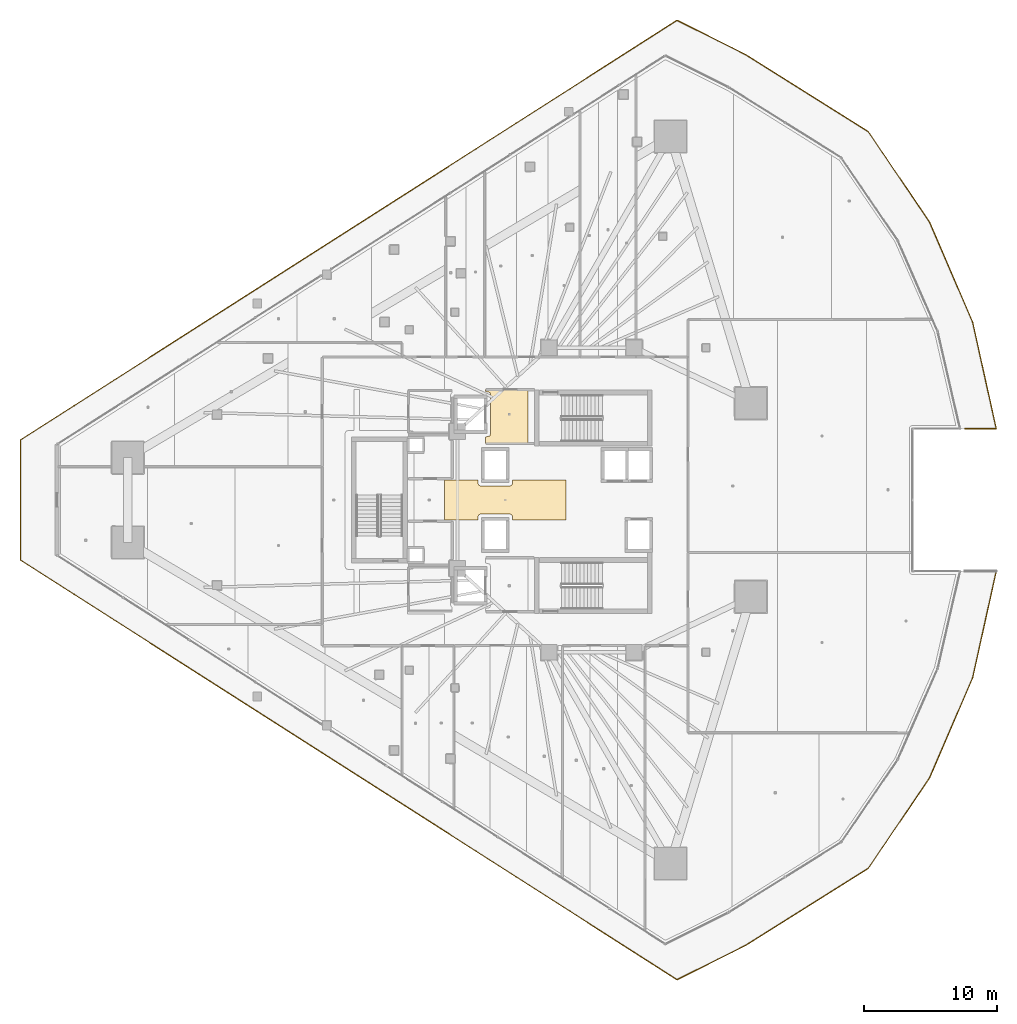
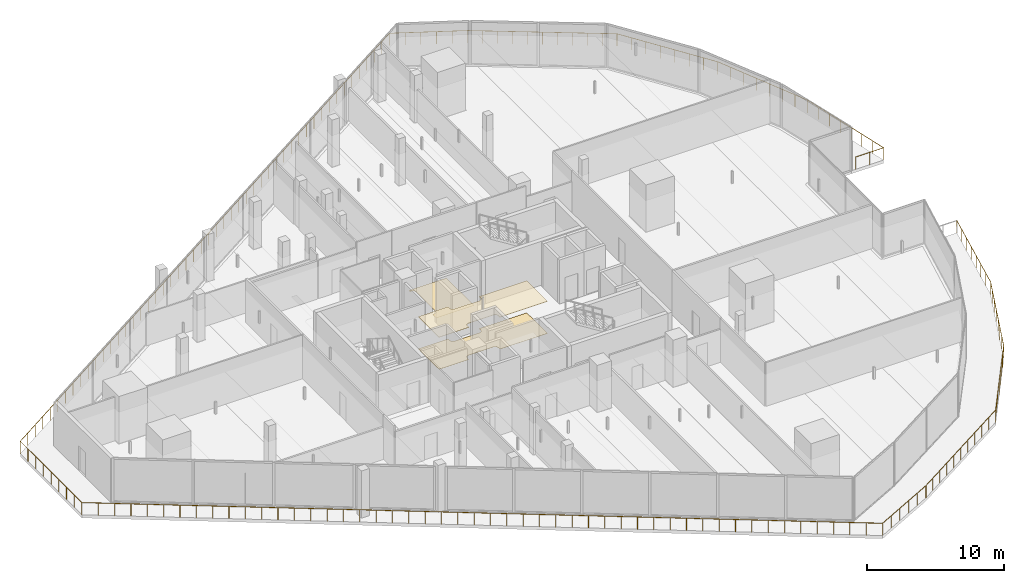
# One storey, part 42 of 44: 3 coverings, 1 railing.
"""IFC4 building model written with IfcOpenShell, lengths in metres."""

from ifc_helpers import new_model, si_unit, direction, frame, origin, origin_2d, place, context, subcontext, project, spatial, polyline, circle, outline, extrude, material, layer, layer_set, type_object, element, save


model = new_model("IFC4")

# Units and contexts
model_context = context("Model", 3, precision=1e-05, world=origin(), true_north=direction((0.0, 1.0)))
body_context = subcontext(model_context, "Body", "Model", "MODEL_VIEW")
ifc_project = project(units=[si_unit("LENGTHUNIT", "METRE"), si_unit("AREAUNIT", "SQUARE_METRE"), si_unit("VOLUMEUNIT", "CUBIC_METRE"), si_unit("PLANEANGLEUNIT", "RADIAN"), si_unit("MASSUNIT", "GRAM", prefix="KILO")], contexts=[model_context])

# Site, building, storey
site_placement = place(None, origin())
site = spatial("IfcSite", under=ifc_project, at=site_placement, CompositionType="ELEMENT")
building_placement = place(site_placement, origin())
building = spatial("IfcBuilding", under=site, at=building_placement, Name="Qorvath Tower", CompositionType="ELEMENT")
storey_placement = place(building_placement, frame((0.0, 0.0, 53.39990234375)))
storey = spatial("IfcBuildingStorey", under=building, at=storey_placement, Name="L11", CompositionType="ELEMENT", Elevation=53.39990234375)

# Coverings
ifc_material_1 = material(Name="Acoustic mineral fibre ceiling tile", Category="gypsum")
ifc_layer_1 = layer(ifc_material_1, 0.030029296875)
ifc_layer_set_1 = layer_set([ifc_layer_1], Name="COV-CEIL")
covering_type_1 = type_object("IfcCoveringType", Name="COV-CEIL", PredefinedType="CEILING", material=ifc_layer_set_1)
covering_1_placement = place(storey_placement, frame((0.0, 0.0, 2.85009765625)))
element("IfcCovering", 1, at=covering_1_placement, inside=storey, type_object=covering_type_1, Name="L11 Suspended Acoustic Ceiling 009", PredefinedType="CEILING", context=body_context, shape_type="SweptSolid", body=[
    extrude(outline(polyline([(-22.318359375, -1.514892578125), (-22.318359375, 1.514892578125), (-26.340087890625, 1.514892578125), (-26.340087890625, 1.2900390625), (-26.413330078125, 1.11328125), (-26.590087890625, 1.0400390625), (-28.7099609375, 1.0400390625), (-28.88671875, 1.11328125), (-28.9599609375, 1.2900390625), (-28.9599609375, 1.514892578125), (-31.481689453125, 1.514892578125), (-31.481689453125, -1.514892578125), (-28.9599609375, -1.514892578125), (-28.9599609375, -1.2900390625), (-28.88671875, -1.11328125), (-28.7099609375, -1.0400390625), (-26.590087890625, -1.0400390625), (-26.413330078125, -1.11328125), (-26.340087890625, -1.2900390625), (-26.340087890625, -1.514892578125), (-22.318359375, -1.514892578125)])), origin(), (0.0, 0.0, 1.0), 0.030029296875),
])
ifc_material_2 = material(Name="Polished epoxy terrazzo flooring", Category="concrete")
ifc_layer_2 = layer(ifc_material_2, 0.02001953125)
ifc_layer_set_2 = layer_set([ifc_layer_2], Name="COV-FLOOR-TRZ")
covering_type_2 = type_object("IfcCoveringType", Name="COV-FLOOR-TRZ", PredefinedType="FLOORING", material=ifc_layer_set_2)
covering_2_placement = place(storey_placement, origin())
element("IfcCovering", 2, at=covering_2_placement, inside=storey, type_object=covering_type_2, Name="L11 Floor Finish 001", PredefinedType="FLOORING", context=body_context, shape_type="SweptSolid", body=[
    extrude(outline(polyline([(-25.18994140625, 4.2548828125), (-25.18994140625, 8.294921875), (-28.375, 8.294921875), (-28.375, 8.159912109375), (-28.063232421875, 8.086669921875), (-27.989990234375, 7.909912109375), (-27.989990234375, 4.989990234375), (-28.063232421875, 4.813232421875), (-28.375, 4.739990234375), (-28.375, 4.2548828125), (-25.18994140625, 4.2548828125)])), origin(), (0.0, 0.0, 1.0), 0.01513671875),
])
covering_3_placement = place(storey_placement, origin())
element("IfcCovering", 3, at=covering_3_placement, inside=storey, type_object=covering_type_2, Name="L11 Floor Finish 009", PredefinedType="FLOORING", context=body_context, shape_type="SweptSolid", body=[
    extrude(outline(polyline([(-22.318359375, -1.514892578125), (-22.318359375, 1.514892578125), (-26.340087890625, 1.514892578125), (-26.340087890625, 1.2900390625), (-26.413330078125, 1.11328125), (-26.590087890625, 1.0400390625), (-28.7099609375, 1.0400390625), (-28.88671875, 1.11328125), (-28.9599609375, 1.2900390625), (-28.9599609375, 1.514892578125), (-31.481689453125, 1.514892578125), (-31.481689453125, -1.514892578125), (-28.9599609375, -1.514892578125), (-28.9599609375, -1.2900390625), (-28.88671875, -1.11328125), (-28.7099609375, -1.0400390625), (-26.590087890625, -1.0400390625), (-26.413330078125, -1.11328125), (-26.340087890625, -1.2900390625), (-26.340087890625, -1.514892578125), (-22.318359375, -1.514892578125)])), origin(), (0.0, 0.0, 1.0), 0.01513671875),
])

# Railing
ifc_material_3 = material(Name="Laminated safety glass and stainless steel AISI 316", Category="steel")
railing_type = type_object("IfcRailingType", Name="RL-EXT-GRD", PredefinedType="GUARDRAIL", material=ifc_material_3)
railing_placement = place(storey_placement, frame((10.030029296875, -5.356689453125, 0.0)))
element("IfcRailing", 4, at=railing_placement, inside=storey, type_object=railing_type, Name="Loggia Perimeter Guardrail L11-1.1", PredefinedType="GUARDRAIL", context=body_context, shape_type="SweptSolid", body=[
    extrude(circle(Radius=0.02392578125, at=origin_2d()), frame((0.0, 0.0, 1.09619140625), z_axis=(-0.216073224213, -0.976377161643, 0.0), x_axis=(0.976377161643, -0.216073224213, 0.0)), (0.0, 0.0, 1.0), 8.203125),
    extrude(circle(Radius=0.02392578125, at=origin_2d()), frame((-1.7724609375, -8.00927734375, 1.09619140625), z_axis=(-0.395484853012, -0.918472498792, 0.0), x_axis=(0.918472498792, -0.395484853012, 0.0)), (0.0, 0.0, 1.0), 8.202880859375),
    extrude(circle(Radius=0.02392578125, at=origin_2d()), frame((-5.0166015625, -15.54345703125, 1.09619140625), z_axis=(-0.560818530713, -0.827938751121, 0.0), x_axis=(0.827938751121, -0.560818530713, 0.0)), (0.0, 0.0, 1.0), 8.202880859375),
    extrude(circle(Radius=0.02392578125, at=origin_2d()), frame((-9.616943359375, -22.3349609375, 1.09619140625), z_axis=(-0.846493615639, -0.532398871789, 0.0), x_axis=(0.532398871789, -0.846493615639, 0.0)), (0.0, 0.0, 1.0), 10.908447265625),
    extrude(circle(Radius=0.02392578125, at=origin_2d()), frame((-18.850830078125, -28.142578125, 1.09619140625), z_axis=(-0.894427191, -0.4472135955, 0.0), x_axis=(0.4472135955, -0.894427191, 0.0)), (0.0, 0.0, 1.0), 5.76220703125),
    extrude(circle(Radius=0.02392578125, at=origin_2d()), frame((-24.004638671875, -30.719482421875, 1.09619140625), z_axis=(-0.842603389568, 0.538534611598, 0.0), x_axis=(-0.538534611598, -0.842603389568, 0.0)), (0.0, 0.0, 1.0), 58.61572265625),
    extrude(circle(Radius=0.02392578125, at=origin_2d()), frame((-73.39453125, 0.84716796875, 1.09619140625), z_axis=(0.0, 1.0, 0.0), x_axis=(-1.0, 0.0, 0.0)), (0.0, 0.0, 1.0), 9.01904296875),
    extrude(circle(Radius=0.02392578125, at=origin_2d()), frame((-73.39453125, 9.8662109375, 1.09619140625), z_axis=(0.842603389568, 0.538534611598, 0.0), x_axis=(-0.538534611598, 0.842603389568, 0.0)), (0.0, 0.0, 1.0), 58.61572265625),
    extrude(circle(Radius=0.02392578125, at=origin_2d()), frame((-24.004638671875, 41.432861328125, 1.09619140625), z_axis=(0.894427191, -0.4472135955, 0.0), x_axis=(0.4472135955, 0.894427191, 0.0)), (0.0, 0.0, 1.0), 5.76220703125),
    extrude(circle(Radius=0.02392578125, at=origin_2d()), frame((-18.850830078125, 38.85595703125, 1.09619140625), z_axis=(0.846493615639, -0.532398871789, 0.0), x_axis=(0.532398871789, 0.846493615639, 0.0)), (0.0, 0.0, 1.0), 10.908447265625),
    extrude(circle(Radius=0.02392578125, at=origin_2d()), frame((-9.616943359375, 33.04833984375, 1.09619140625), z_axis=(0.560818530713, -0.827938751121, 0.0), x_axis=(0.827938751121, 0.560818530713, 0.0)), (0.0, 0.0, 1.0), 8.202880859375),
    extrude(circle(Radius=0.02392578125, at=origin_2d()), frame((-5.0166015625, 26.2568359375, 1.09619140625), z_axis=(0.395484853012, -0.918472498792, 0.0), x_axis=(0.918472498792, 0.395484853012, 0.0)), (0.0, 0.0, 1.0), 8.202880859375),
    extrude(circle(Radius=0.02392578125, at=origin_2d()), frame((-1.7724609375, 18.72265625, 1.09619140625), z_axis=(0.216073224213, -0.976377161643, 0.0), x_axis=(0.976377161643, 0.216073224213, 0.0)), (0.0, 0.0, 1.0), 8.203125),
    extrude(circle(Radius=0.02392578125, at=origin_2d()), frame((0.0, 10.71337890625, 1.09619140625), z_axis=(-1.0, 0.0, 0.0), x_axis=(0.0, -1.0, 0.0)), (0.0, 0.0, 1.0), 2.3662109375),
    extrude(circle(Radius=0.02099609375, at=origin_2d()), origin(), (0.0, 0.0, 1.0), 1.072021484375),
    extrude(circle(Radius=0.02099609375, at=origin_2d()), frame((-0.253173828125, -1.144287109375, 0.0)), (0.0, 0.0, 1.0), 1.072021484375),
    extrude(circle(Radius=0.02099609375, at=origin_2d()), frame((-0.50634765625, -2.288330078125, 0.0)), (0.0, 0.0, 1.0), 1.072021484375),
    extrude(circle(Radius=0.02099609375, at=origin_2d()), frame((-0.759521484375, -3.4326171875, 0.0)), (0.0, 0.0, 1.0), 1.072021484375),
    extrude(circle(Radius=0.02099609375, at=origin_2d()), frame((-1.012939453125, -4.57666015625, 0.0)), (0.0, 0.0, 1.0), 1.072021484375),
    extrude(circle(Radius=0.02099609375, at=origin_2d()), frame((-1.26611328125, -5.720947265625, 0.0)), (0.0, 0.0, 1.0), 1.072021484375),
    extrude(circle(Radius=0.02099609375, at=origin_2d()), frame((-1.519287109375, -6.864990234375, 0.0)), (0.0, 0.0, 1.0), 1.072021484375),
    extrude(circle(Radius=0.02099609375, at=origin_2d()), frame((-1.7724609375, -8.00927734375, 0.0)), (0.0, 0.0, 1.0), 1.072021484375),
    extrude(circle(Radius=0.02099609375, at=origin_2d()), frame((-2.23583984375, -9.085693359375, 0.0)), (0.0, 0.0, 1.0), 1.072021484375),
    extrude(circle(Radius=0.02099609375, at=origin_2d()), frame((-2.699462890625, -10.161865234375, 0.0)), (0.0, 0.0, 1.0), 1.072021484375),
    extrude(circle(Radius=0.02099609375, at=origin_2d()), frame((-3.162841796875, -11.23828125, 0.0)), (0.0, 0.0, 1.0), 1.072021484375),
    extrude(circle(Radius=0.02099609375, at=origin_2d()), frame((-3.626220703125, -12.314453125, 0.0)), (0.0, 0.0, 1.0), 1.072021484375),
    extrude(circle(Radius=0.02099609375, at=origin_2d()), frame((-4.089599609375, -13.390869140625, 0.0)), (0.0, 0.0, 1.0), 1.072021484375),
    extrude(circle(Radius=0.02099609375, at=origin_2d()), frame((-4.55322265625, -14.467041015625, 0.0)), (0.0, 0.0, 1.0), 1.072021484375),
    extrude(circle(Radius=0.02099609375, at=origin_2d()), frame((-5.0166015625, -15.54345703125, 0.0)), (0.0, 0.0, 1.0), 1.072021484375),
    extrude(circle(Radius=0.02099609375, at=origin_2d()), frame((-5.673828125, -16.513671875, 0.0)), (0.0, 0.0, 1.0), 1.072021484375),
    extrude(circle(Radius=0.02099609375, at=origin_2d()), frame((-6.3310546875, -17.48388671875, 0.0)), (0.0, 0.0, 1.0), 1.072021484375),
    extrude(circle(Radius=0.02099609375, at=origin_2d()), frame((-6.98828125, -18.4541015625, 0.0)), (0.0, 0.0, 1.0), 1.072021484375),
    extrude(circle(Radius=0.02099609375, at=origin_2d()), frame((-7.645263671875, -19.42431640625, 0.0)), (0.0, 0.0, 1.0), 1.072021484375),
    extrude(circle(Radius=0.02099609375, at=origin_2d()), frame((-8.302490234375, -20.39453125, 0.0)), (0.0, 0.0, 1.0), 1.072021484375),
    extrude(circle(Radius=0.02099609375, at=origin_2d()), frame((-8.959716796875, -21.36474609375, 0.0)), (0.0, 0.0, 1.0), 1.072021484375),
    extrude(circle(Radius=0.02099609375, at=origin_2d()), frame((-9.616943359375, -22.3349609375, 0.0)), (0.0, 0.0, 1.0), 1.072021484375),
    extrude(circle(Radius=0.02099609375, at=origin_2d()), frame((-10.540283203125, -22.915771484375, 0.0)), (0.0, 0.0, 1.0), 1.072021484375),
    extrude(circle(Radius=0.02099609375, at=origin_2d()), frame((-11.463623046875, -23.49658203125, 0.0)), (0.0, 0.0, 1.0), 1.072021484375),
    extrude(circle(Radius=0.02099609375, at=origin_2d()), frame((-12.38720703125, -24.0771484375, 0.0)), (0.0, 0.0, 1.0), 1.072021484375),
    extrude(circle(Radius=0.02099609375, at=origin_2d()), frame((-13.310546875, -24.657958984375, 0.0)), (0.0, 0.0, 1.0), 1.072021484375),
    extrude(circle(Radius=0.02099609375, at=origin_2d()), frame((-14.23388671875, -25.23876953125, 0.0)), (0.0, 0.0, 1.0), 1.072021484375),
    extrude(circle(Radius=0.02099609375, at=origin_2d()), frame((-15.1572265625, -25.819580078125, 0.0)), (0.0, 0.0, 1.0), 1.072021484375),
    extrude(circle(Radius=0.02099609375, at=origin_2d()), frame((-16.08056640625, -26.400390625, 0.0)), (0.0, 0.0, 1.0), 1.072021484375),
    extrude(circle(Radius=0.02099609375, at=origin_2d()), frame((-17.004150390625, -26.98095703125, 0.0)), (0.0, 0.0, 1.0), 1.072021484375),
    extrude(circle(Radius=0.02099609375, at=origin_2d()), frame((-17.927490234375, -27.561767578125, 0.0)), (0.0, 0.0, 1.0), 1.072021484375),
    extrude(circle(Radius=0.02099609375, at=origin_2d()), frame((-18.850830078125, -28.142578125, 0.0)), (0.0, 0.0, 1.0), 1.072021484375),
    extrude(circle(Radius=0.02099609375, at=origin_2d()), frame((-19.881591796875, -28.657958984375, 0.0)), (0.0, 0.0, 1.0), 1.072021484375),
    extrude(circle(Radius=0.02099609375, at=origin_2d()), frame((-20.912353515625, -29.17333984375, 0.0)), (0.0, 0.0, 1.0), 1.072021484375),
    extrude(circle(Radius=0.02099609375, at=origin_2d()), frame((-21.943115234375, -29.688720703125, 0.0)), (0.0, 0.0, 1.0), 1.072021484375),
    extrude(circle(Radius=0.02099609375, at=origin_2d()), frame((-22.973876953125, -30.2041015625, 0.0)), (0.0, 0.0, 1.0), 1.072021484375),
    extrude(circle(Radius=0.02099609375, at=origin_2d()), frame((-24.004638671875, -30.719482421875, 0.0)), (0.0, 0.0, 1.0), 1.072021484375),
    extrude(circle(Radius=0.02099609375, at=origin_2d()), frame((-25.0126953125, -30.0751953125, 0.0)), (0.0, 0.0, 1.0), 1.072021484375),
    extrude(circle(Radius=0.02099609375, at=origin_2d()), frame((-26.0205078125, -29.43115234375, 0.0)), (0.0, 0.0, 1.0), 1.072021484375),
    extrude(circle(Radius=0.02099609375, at=origin_2d()), frame((-27.028564453125, -28.786865234375, 0.0)), (0.0, 0.0, 1.0), 1.072021484375),
    extrude(circle(Radius=0.02099609375, at=origin_2d()), frame((-28.036376953125, -28.142578125, 0.0)), (0.0, 0.0, 1.0), 1.072021484375),
    extrude(circle(Radius=0.02099609375, at=origin_2d()), frame((-29.04443359375, -27.498291015625, 0.0)), (0.0, 0.0, 1.0), 1.072021484375),
    extrude(circle(Radius=0.02099609375, at=origin_2d()), frame((-30.052490234375, -26.854248046875, 0.0)), (0.0, 0.0, 1.0), 1.072021484375),
    extrude(circle(Radius=0.02099609375, at=origin_2d()), frame((-31.060302734375, -26.2099609375, 0.0)), (0.0, 0.0, 1.0), 1.072021484375),
    extrude(circle(Radius=0.02099609375, at=origin_2d()), frame((-32.068359375, -25.565673828125, 0.0)), (0.0, 0.0, 1.0), 1.072021484375),
    extrude(circle(Radius=0.02099609375, at=origin_2d()), frame((-33.076171875, -24.921630859375, 0.0)), (0.0, 0.0, 1.0), 1.072021484375),
    extrude(circle(Radius=0.02099609375, at=origin_2d()), frame((-34.084228515625, -24.27734375, 0.0)), (0.0, 0.0, 1.0), 1.072021484375),
    extrude(circle(Radius=0.02099609375, at=origin_2d()), frame((-35.09228515625, -23.633056640625, 0.0)), (0.0, 0.0, 1.0), 1.072021484375),
    extrude(circle(Radius=0.02099609375, at=origin_2d()), frame((-36.10009765625, -22.98876953125, 0.0)), (0.0, 0.0, 1.0), 1.072021484375),
    extrude(circle(Radius=0.02099609375, at=origin_2d()), frame((-37.108154296875, -22.3447265625, 0.0)), (0.0, 0.0, 1.0), 1.072021484375),
    extrude(circle(Radius=0.02099609375, at=origin_2d()), frame((-38.115966796875, -21.700439453125, 0.0)), (0.0, 0.0, 1.0), 1.072021484375),
    extrude(circle(Radius=0.02099609375, at=origin_2d()), frame((-39.1240234375, -21.05615234375, 0.0)), (0.0, 0.0, 1.0), 1.072021484375),
    extrude(circle(Radius=0.02099609375, at=origin_2d()), frame((-40.1318359375, -20.412109375, 0.0)), (0.0, 0.0, 1.0), 1.072021484375),
    extrude(circle(Radius=0.02099609375, at=origin_2d()), frame((-41.139892578125, -19.767822265625, 0.0)), (0.0, 0.0, 1.0), 1.072021484375),
    extrude(circle(Radius=0.02099609375, at=origin_2d()), frame((-42.14794921875, -19.12353515625, 0.0)), (0.0, 0.0, 1.0), 1.072021484375),
    extrude(circle(Radius=0.02099609375, at=origin_2d()), frame((-43.15576171875, -18.479248046875, 0.0)), (0.0, 0.0, 1.0), 1.072021484375),
    extrude(circle(Radius=0.02099609375, at=origin_2d()), frame((-44.163818359375, -17.835205078125, 0.0)), (0.0, 0.0, 1.0), 1.072021484375),
    extrude(circle(Radius=0.02099609375, at=origin_2d()), frame((-45.171630859375, -17.19091796875, 0.0)), (0.0, 0.0, 1.0), 1.072021484375),
    extrude(circle(Radius=0.02099609375, at=origin_2d()), frame((-46.1796875, -16.546630859375, 0.0)), (0.0, 0.0, 1.0), 1.072021484375),
    extrude(circle(Radius=0.02099609375, at=origin_2d()), frame((-47.187744140625, -15.902587890625, 0.0)), (0.0, 0.0, 1.0), 1.072021484375),
    extrude(circle(Radius=0.02099609375, at=origin_2d()), frame((-48.195556640625, -15.25830078125, 0.0)), (0.0, 0.0, 1.0), 1.072021484375),
    extrude(circle(Radius=0.02099609375, at=origin_2d()), frame((-49.20361328125, -14.614013671875, 0.0)), (0.0, 0.0, 1.0), 1.072021484375),
    extrude(circle(Radius=0.02099609375, at=origin_2d()), frame((-50.21142578125, -13.9697265625, 0.0)), (0.0, 0.0, 1.0), 1.072021484375),
    extrude(circle(Radius=0.02099609375, at=origin_2d()), frame((-51.219482421875, -13.32568359375, 0.0)), (0.0, 0.0, 1.0), 1.072021484375),
    extrude(circle(Radius=0.02099609375, at=origin_2d()), frame((-52.2275390625, -12.681396484375, 0.0)), (0.0, 0.0, 1.0), 1.072021484375),
    extrude(circle(Radius=0.02099609375, at=origin_2d()), frame((-53.2353515625, -12.037109375, 0.0)), (0.0, 0.0, 1.0), 1.072021484375),
    extrude(circle(Radius=0.02099609375, at=origin_2d()), frame((-54.243408203125, -11.39306640625, 0.0)), (0.0, 0.0, 1.0), 1.072021484375),
    extrude(circle(Radius=0.02099609375, at=origin_2d()), frame((-55.251220703125, -10.748779296875, 0.0)), (0.0, 0.0, 1.0), 1.072021484375),
    extrude(circle(Radius=0.02099609375, at=origin_2d()), frame((-56.25927734375, -10.1044921875, 0.0)), (0.0, 0.0, 1.0), 1.072021484375),
    extrude(circle(Radius=0.02099609375, at=origin_2d()), frame((-57.267333984375, -9.460205078125, 0.0)), (0.0, 0.0, 1.0), 1.072021484375),
    extrude(circle(Radius=0.02099609375, at=origin_2d()), frame((-58.275146484375, -8.816162109375, 0.0)), (0.0, 0.0, 1.0), 1.072021484375),
    extrude(circle(Radius=0.02099609375, at=origin_2d()), frame((-59.283203125, -8.171875, 0.0)), (0.0, 0.0, 1.0), 1.072021484375),
    extrude(circle(Radius=0.02099609375, at=origin_2d()), frame((-60.291015625, -7.527587890625, 0.0)), (0.0, 0.0, 1.0), 1.072021484375),
    extrude(circle(Radius=0.02099609375, at=origin_2d()), frame((-61.299072265625, -6.883544921875, 0.0)), (0.0, 0.0, 1.0), 1.072021484375),
    extrude(circle(Radius=0.02099609375, at=origin_2d()), frame((-62.306884765625, -6.2392578125, 0.0)), (0.0, 0.0, 1.0), 1.072021484375),
    extrude(circle(Radius=0.02099609375, at=origin_2d()), frame((-63.31494140625, -5.594970703125, 0.0)), (0.0, 0.0, 1.0), 1.072021484375),
    extrude(circle(Radius=0.02099609375, at=origin_2d()), frame((-64.322998046875, -4.95068359375, 0.0)), (0.0, 0.0, 1.0), 1.072021484375),
    extrude(circle(Radius=0.02099609375, at=origin_2d()), frame((-65.330810546875, -4.306640625, 0.0)), (0.0, 0.0, 1.0), 1.072021484375),
    extrude(circle(Radius=0.02099609375, at=origin_2d()), frame((-66.3388671875, -3.662353515625, 0.0)), (0.0, 0.0, 1.0), 1.072021484375),
    extrude(circle(Radius=0.02099609375, at=origin_2d()), frame((-67.3466796875, -3.01806640625, 0.0)), (0.0, 0.0, 1.0), 1.072021484375),
    extrude(circle(Radius=0.02099609375, at=origin_2d()), frame((-68.354736328125, -2.3740234375, 0.0)), (0.0, 0.0, 1.0), 1.072021484375),
    extrude(circle(Radius=0.02099609375, at=origin_2d()), frame((-69.36279296875, -1.729736328125, 0.0)), (0.0, 0.0, 1.0), 1.072021484375),
    extrude(circle(Radius=0.02099609375, at=origin_2d()), frame((-70.37060546875, -1.08544921875, 0.0)), (0.0, 0.0, 1.0), 1.072021484375),
    extrude(circle(Radius=0.02099609375, at=origin_2d()), frame((-71.378662109375, -0.441162109375, 0.0)), (0.0, 0.0, 1.0), 1.072021484375),
    extrude(circle(Radius=0.02099609375, at=origin_2d()), frame((-72.386474609375, 0.202880859375, 0.0)), (0.0, 0.0, 1.0), 1.072021484375),
    extrude(circle(Radius=0.02099609375, at=origin_2d()), frame((-73.39453125, 0.84716796875, 0.0)), (0.0, 0.0, 1.0), 1.072021484375),
    extrude(circle(Radius=0.02099609375, at=origin_2d()), frame((-73.39453125, 1.974609375, 0.0)), (0.0, 0.0, 1.0), 1.072021484375),
    extrude(circle(Radius=0.02099609375, at=origin_2d()), frame((-73.39453125, 3.10205078125, 0.0)), (0.0, 0.0, 1.0), 1.072021484375),
    extrude(circle(Radius=0.02099609375, at=origin_2d()), frame((-73.39453125, 4.229248046875, 0.0)), (0.0, 0.0, 1.0), 1.072021484375),
    extrude(circle(Radius=0.02099609375, at=origin_2d()), frame((-73.39453125, 5.356689453125, 0.0)), (0.0, 0.0, 1.0), 1.072021484375),
    extrude(circle(Radius=0.02099609375, at=origin_2d()), frame((-73.39453125, 6.484130859375, 0.0)), (0.0, 0.0, 1.0), 1.072021484375),
    extrude(circle(Radius=0.02099609375, at=origin_2d()), frame((-73.39453125, 7.611328125, 0.0)), (0.0, 0.0, 1.0), 1.072021484375),
    extrude(circle(Radius=0.02099609375, at=origin_2d()), frame((-73.39453125, 8.73876953125, 0.0)), (0.0, 0.0, 1.0), 1.072021484375),
    extrude(circle(Radius=0.02099609375, at=origin_2d()), frame((-73.39453125, 9.8662109375, 0.0)), (0.0, 0.0, 1.0), 1.072021484375),
    extrude(circle(Radius=0.02099609375, at=origin_2d()), frame((-72.386474609375, 10.510498046875, 0.0)), (0.0, 0.0, 1.0), 1.072021484375),
    extrude(circle(Radius=0.02099609375, at=origin_2d()), frame((-71.378662109375, 11.154541015625, 0.0)), (0.0, 0.0, 1.0), 1.072021484375),
    extrude(circle(Radius=0.02099609375, at=origin_2d()), frame((-70.37060546875, 11.798828125, 0.0)), (0.0, 0.0, 1.0), 1.072021484375),
    extrude(circle(Radius=0.02099609375, at=origin_2d()), frame((-69.36279296875, 12.443115234375, 0.0)), (0.0, 0.0, 1.0), 1.072021484375),
    extrude(circle(Radius=0.02099609375, at=origin_2d()), frame((-68.354736328125, 13.08740234375, 0.0)), (0.0, 0.0, 1.0), 1.072021484375),
    extrude(circle(Radius=0.02099609375, at=origin_2d()), frame((-67.3466796875, 13.7314453125, 0.0)), (0.0, 0.0, 1.0), 1.072021484375),
    extrude(circle(Radius=0.02099609375, at=origin_2d()), frame((-66.3388671875, 14.375732421875, 0.0)), (0.0, 0.0, 1.0), 1.072021484375),
    extrude(circle(Radius=0.02099609375, at=origin_2d()), frame((-65.330810546875, 15.02001953125, 0.0)), (0.0, 0.0, 1.0), 1.072021484375),
    extrude(circle(Radius=0.02099609375, at=origin_2d()), frame((-64.322998046875, 15.6640625, 0.0)), (0.0, 0.0, 1.0), 1.072021484375),
    extrude(circle(Radius=0.02099609375, at=origin_2d()), frame((-63.31494140625, 16.308349609375, 0.0)), (0.0, 0.0, 1.0), 1.072021484375),
    extrude(circle(Radius=0.02099609375, at=origin_2d()), frame((-62.306884765625, 16.95263671875, 0.0)), (0.0, 0.0, 1.0), 1.072021484375),
    extrude(circle(Radius=0.02099609375, at=origin_2d()), frame((-61.299072265625, 17.596923828125, 0.0)), (0.0, 0.0, 1.0), 1.072021484375),
    extrude(circle(Radius=0.02099609375, at=origin_2d()), frame((-60.291015625, 18.240966796875, 0.0)), (0.0, 0.0, 1.0), 1.072021484375),
    extrude(circle(Radius=0.02099609375, at=origin_2d()), frame((-59.283203125, 18.88525390625, 0.0)), (0.0, 0.0, 1.0), 1.072021484375),
    extrude(circle(Radius=0.02099609375, at=origin_2d()), frame((-58.275146484375, 19.529541015625, 0.0)), (0.0, 0.0, 1.0), 1.072021484375),
    extrude(circle(Radius=0.02099609375, at=origin_2d()), frame((-57.267333984375, 20.173583984375, 0.0)), (0.0, 0.0, 1.0), 1.072021484375),
    extrude(circle(Radius=0.02099609375, at=origin_2d()), frame((-56.25927734375, 20.81787109375, 0.0)), (0.0, 0.0, 1.0), 1.072021484375),
    extrude(circle(Radius=0.02099609375, at=origin_2d()), frame((-55.251220703125, 21.462158203125, 0.0)), (0.0, 0.0, 1.0), 1.072021484375),
    extrude(circle(Radius=0.02099609375, at=origin_2d()), frame((-54.243408203125, 22.1064453125, 0.0)), (0.0, 0.0, 1.0), 1.072021484375),
    extrude(circle(Radius=0.02099609375, at=origin_2d()), frame((-53.2353515625, 22.75048828125, 0.0)), (0.0, 0.0, 1.0), 1.072021484375),
    extrude(circle(Radius=0.02099609375, at=origin_2d()), frame((-52.2275390625, 23.394775390625, 0.0)), (0.0, 0.0, 1.0), 1.072021484375),
    extrude(circle(Radius=0.02099609375, at=origin_2d()), frame((-51.219482421875, 24.0390625, 0.0)), (0.0, 0.0, 1.0), 1.072021484375),
    extrude(circle(Radius=0.02099609375, at=origin_2d()), frame((-50.21142578125, 24.68310546875, 0.0)), (0.0, 0.0, 1.0), 1.072021484375),
    extrude(circle(Radius=0.02099609375, at=origin_2d()), frame((-49.20361328125, 25.327392578125, 0.0)), (0.0, 0.0, 1.0), 1.072021484375),
    extrude(circle(Radius=0.02099609375, at=origin_2d()), frame((-48.195556640625, 25.9716796875, 0.0)), (0.0, 0.0, 1.0), 1.072021484375),
    extrude(circle(Radius=0.02099609375, at=origin_2d()), frame((-47.187744140625, 26.615966796875, 0.0)), (0.0, 0.0, 1.0), 1.072021484375),
    extrude(circle(Radius=0.02099609375, at=origin_2d()), frame((-46.1796875, 27.260009765625, 0.0)), (0.0, 0.0, 1.0), 1.072021484375),
    extrude(circle(Radius=0.02099609375, at=origin_2d()), frame((-45.171630859375, 27.904296875, 0.0)), (0.0, 0.0, 1.0), 1.072021484375),
    extrude(circle(Radius=0.02099609375, at=origin_2d()), frame((-44.163818359375, 28.548583984375, 0.0)), (0.0, 0.0, 1.0), 1.072021484375),
    extrude(circle(Radius=0.02099609375, at=origin_2d()), frame((-43.15576171875, 29.192626953125, 0.0)), (0.0, 0.0, 1.0), 1.072021484375),
    extrude(circle(Radius=0.02099609375, at=origin_2d()), frame((-42.14794921875, 29.8369140625, 0.0)), (0.0, 0.0, 1.0), 1.072021484375),
    extrude(circle(Radius=0.02099609375, at=origin_2d()), frame((-41.139892578125, 30.481201171875, 0.0)), (0.0, 0.0, 1.0), 1.072021484375),
    extrude(circle(Radius=0.02099609375, at=origin_2d()), frame((-40.1318359375, 31.12548828125, 0.0)), (0.0, 0.0, 1.0), 1.072021484375),
    extrude(circle(Radius=0.02099609375, at=origin_2d()), frame((-39.1240234375, 31.76953125, 0.0)), (0.0, 0.0, 1.0), 1.072021484375),
    extrude(circle(Radius=0.02099609375, at=origin_2d()), frame((-38.115966796875, 32.413818359375, 0.0)), (0.0, 0.0, 1.0), 1.072021484375),
    extrude(circle(Radius=0.02099609375, at=origin_2d()), frame((-37.108154296875, 33.05810546875, 0.0)), (0.0, 0.0, 1.0), 1.072021484375),
    extrude(circle(Radius=0.02099609375, at=origin_2d()), frame((-36.10009765625, 33.7021484375, 0.0)), (0.0, 0.0, 1.0), 1.072021484375),
    extrude(circle(Radius=0.02099609375, at=origin_2d()), frame((-35.09228515625, 34.346435546875, 0.0)), (0.0, 0.0, 1.0), 1.072021484375),
    extrude(circle(Radius=0.02099609375, at=origin_2d()), frame((-34.084228515625, 34.99072265625, 0.0)), (0.0, 0.0, 1.0), 1.072021484375),
    extrude(circle(Radius=0.02099609375, at=origin_2d()), frame((-33.076171875, 35.635009765625, 0.0)), (0.0, 0.0, 1.0), 1.072021484375),
    extrude(circle(Radius=0.02099609375, at=origin_2d()), frame((-32.068359375, 36.279052734375, 0.0)), (0.0, 0.0, 1.0), 1.072021484375),
    extrude(circle(Radius=0.02099609375, at=origin_2d()), frame((-31.060302734375, 36.92333984375, 0.0)), (0.0, 0.0, 1.0), 1.072021484375),
    extrude(circle(Radius=0.02099609375, at=origin_2d()), frame((-30.052490234375, 37.567626953125, 0.0)), (0.0, 0.0, 1.0), 1.072021484375),
    extrude(circle(Radius=0.02099609375, at=origin_2d()), frame((-29.04443359375, 38.211669921875, 0.0)), (0.0, 0.0, 1.0), 1.072021484375),
    extrude(circle(Radius=0.02099609375, at=origin_2d()), frame((-28.036376953125, 38.85595703125, 0.0)), (0.0, 0.0, 1.0), 1.072021484375),
    extrude(circle(Radius=0.02099609375, at=origin_2d()), frame((-27.028564453125, 39.500244140625, 0.0)), (0.0, 0.0, 1.0), 1.072021484375),
    extrude(circle(Radius=0.02099609375, at=origin_2d()), frame((-26.0205078125, 40.14453125, 0.0)), (0.0, 0.0, 1.0), 1.072021484375),
    extrude(circle(Radius=0.02099609375, at=origin_2d()), frame((-25.0126953125, 40.78857421875, 0.0)), (0.0, 0.0, 1.0), 1.072021484375),
    extrude(circle(Radius=0.02099609375, at=origin_2d()), frame((-24.004638671875, 41.432861328125, 0.0)), (0.0, 0.0, 1.0), 1.072021484375),
    extrude(circle(Radius=0.02099609375, at=origin_2d()), frame((-22.973876953125, 40.91748046875, 0.0)), (0.0, 0.0, 1.0), 1.072021484375),
    extrude(circle(Radius=0.02099609375, at=origin_2d()), frame((-21.943115234375, 40.402099609375, 0.0)), (0.0, 0.0, 1.0), 1.072021484375),
    extrude(circle(Radius=0.02099609375, at=origin_2d()), frame((-20.912353515625, 39.88671875, 0.0)), (0.0, 0.0, 1.0), 1.072021484375),
    extrude(circle(Radius=0.02099609375, at=origin_2d()), frame((-19.881591796875, 39.371337890625, 0.0)), (0.0, 0.0, 1.0), 1.072021484375),
    extrude(circle(Radius=0.02099609375, at=origin_2d()), frame((-18.850830078125, 38.85595703125, 0.0)), (0.0, 0.0, 1.0), 1.072021484375),
    extrude(circle(Radius=0.02099609375, at=origin_2d()), frame((-17.927490234375, 38.275146484375, 0.0)), (0.0, 0.0, 1.0), 1.072021484375),
    extrude(circle(Radius=0.02099609375, at=origin_2d()), frame((-17.004150390625, 37.6943359375, 0.0)), (0.0, 0.0, 1.0), 1.072021484375),
    extrude(circle(Radius=0.02099609375, at=origin_2d()), frame((-16.08056640625, 37.11376953125, 0.0)), (0.0, 0.0, 1.0), 1.072021484375),
    extrude(circle(Radius=0.02099609375, at=origin_2d()), frame((-15.1572265625, 36.532958984375, 0.0)), (0.0, 0.0, 1.0), 1.072021484375),
    extrude(circle(Radius=0.02099609375, at=origin_2d()), frame((-14.23388671875, 35.9521484375, 0.0)), (0.0, 0.0, 1.0), 1.072021484375),
    extrude(circle(Radius=0.02099609375, at=origin_2d()), frame((-13.310546875, 35.371337890625, 0.0)), (0.0, 0.0, 1.0), 1.072021484375),
    extrude(circle(Radius=0.02099609375, at=origin_2d()), frame((-12.38720703125, 34.79052734375, 0.0)), (0.0, 0.0, 1.0), 1.072021484375),
    extrude(circle(Radius=0.02099609375, at=origin_2d()), frame((-11.463623046875, 34.2099609375, 0.0)), (0.0, 0.0, 1.0), 1.072021484375),
    extrude(circle(Radius=0.02099609375, at=origin_2d()), frame((-10.540283203125, 33.629150390625, 0.0)), (0.0, 0.0, 1.0), 1.072021484375),
    extrude(circle(Radius=0.02099609375, at=origin_2d()), frame((-9.616943359375, 33.04833984375, 0.0)), (0.0, 0.0, 1.0), 1.072021484375),
    extrude(circle(Radius=0.02099609375, at=origin_2d()), frame((-8.959716796875, 32.078125, 0.0)), (0.0, 0.0, 1.0), 1.072021484375),
    extrude(circle(Radius=0.02099609375, at=origin_2d()), frame((-8.302490234375, 31.10791015625, 0.0)), (0.0, 0.0, 1.0), 1.072021484375),
    extrude(circle(Radius=0.02099609375, at=origin_2d()), frame((-7.645263671875, 30.1376953125, 0.0)), (0.0, 0.0, 1.0), 1.072021484375),
    extrude(circle(Radius=0.02099609375, at=origin_2d()), frame((-6.98828125, 29.16748046875, 0.0)), (0.0, 0.0, 1.0), 1.072021484375),
    extrude(circle(Radius=0.02099609375, at=origin_2d()), frame((-6.3310546875, 28.197265625, 0.0)), (0.0, 0.0, 1.0), 1.072021484375),
    extrude(circle(Radius=0.02099609375, at=origin_2d()), frame((-5.673828125, 27.22705078125, 0.0)), (0.0, 0.0, 1.0), 1.072021484375),
    extrude(circle(Radius=0.02099609375, at=origin_2d()), frame((-5.0166015625, 26.2568359375, 0.0)), (0.0, 0.0, 1.0), 1.072021484375),
    extrude(circle(Radius=0.02099609375, at=origin_2d()), frame((-4.55322265625, 25.180419921875, 0.0)), (0.0, 0.0, 1.0), 1.072021484375),
    extrude(circle(Radius=0.02099609375, at=origin_2d()), frame((-4.089599609375, 24.104248046875, 0.0)), (0.0, 0.0, 1.0), 1.072021484375),
    extrude(circle(Radius=0.02099609375, at=origin_2d()), frame((-3.626220703125, 23.02783203125, 0.0)), (0.0, 0.0, 1.0), 1.072021484375),
    extrude(circle(Radius=0.02099609375, at=origin_2d()), frame((-3.162841796875, 21.95166015625, 0.0)), (0.0, 0.0, 1.0), 1.072021484375),
    extrude(circle(Radius=0.02099609375, at=origin_2d()), frame((-2.699462890625, 20.875244140625, 0.0)), (0.0, 0.0, 1.0), 1.072021484375),
    extrude(circle(Radius=0.02099609375, at=origin_2d()), frame((-2.23583984375, 19.799072265625, 0.0)), (0.0, 0.0, 1.0), 1.072021484375),
    extrude(circle(Radius=0.02099609375, at=origin_2d()), frame((-1.7724609375, 18.72265625, 0.0)), (0.0, 0.0, 1.0), 1.072021484375),
    extrude(circle(Radius=0.02099609375, at=origin_2d()), frame((-1.519287109375, 17.578369140625, 0.0)), (0.0, 0.0, 1.0), 1.072021484375),
    extrude(circle(Radius=0.02099609375, at=origin_2d()), frame((-1.26611328125, 16.434326171875, 0.0)), (0.0, 0.0, 1.0), 1.072021484375),
    extrude(circle(Radius=0.02099609375, at=origin_2d()), frame((-1.012939453125, 15.2900390625, 0.0)), (0.0, 0.0, 1.0), 1.072021484375),
    extrude(circle(Radius=0.02099609375, at=origin_2d()), frame((-0.759521484375, 14.14599609375, 0.0)), (0.0, 0.0, 1.0), 1.072021484375),
    extrude(circle(Radius=0.02099609375, at=origin_2d()), frame((-0.50634765625, 13.001708984375, 0.0)), (0.0, 0.0, 1.0), 1.072021484375),
    extrude(circle(Radius=0.02099609375, at=origin_2d()), frame((-0.253173828125, 11.857666015625, 0.0)), (0.0, 0.0, 1.0), 1.072021484375),
    extrude(circle(Radius=0.02099609375, at=origin_2d()), frame((0.0, 10.71337890625, 0.0)), (0.0, 0.0, 1.0), 1.072021484375),
    extrude(circle(Radius=0.02099609375, at=origin_2d()), frame((-1.18310546875, 10.71337890625, 0.0)), (0.0, 0.0, 1.0), 1.072021484375),
    extrude(circle(Radius=0.02099609375, at=origin_2d()), frame((-2.3662109375, 10.71337890625, 0.0)), (0.0, 0.0, 1.0), 1.072021484375),
])

save(model, "model.ifc")
